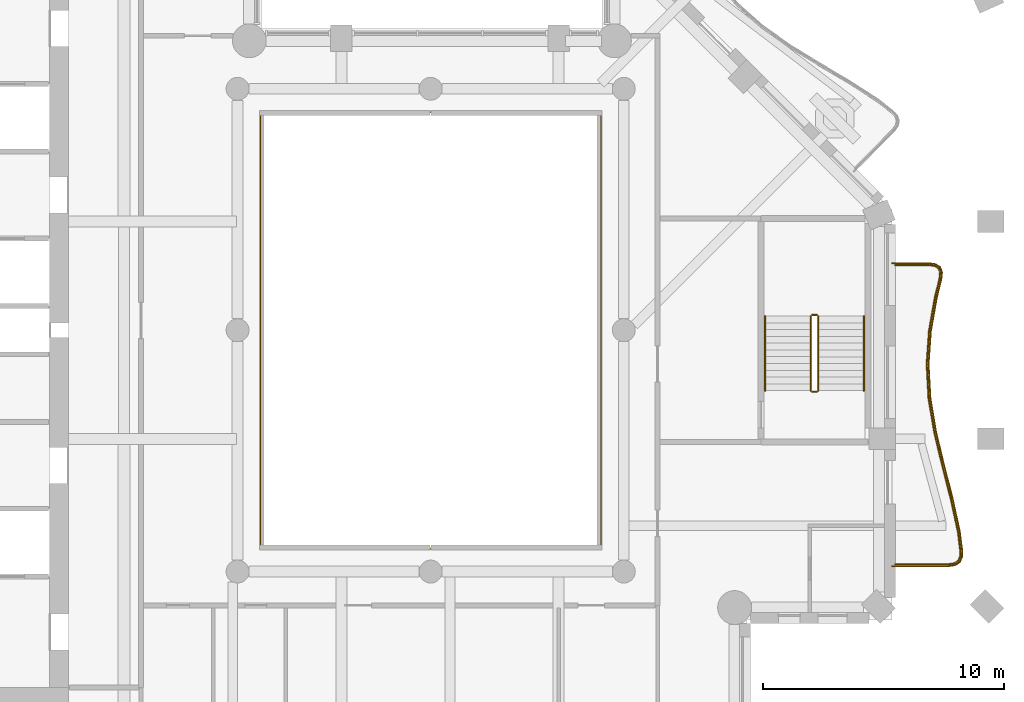
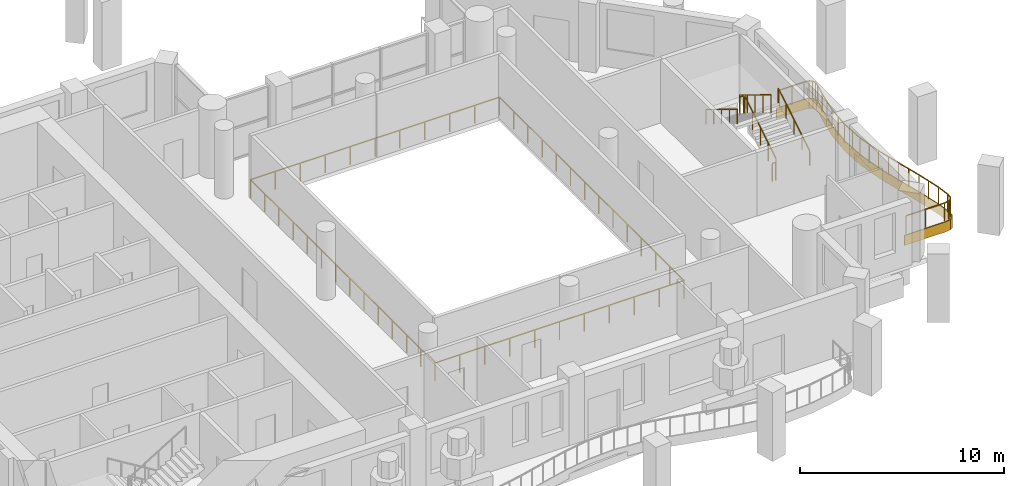
# One storey, part 11 of 14: 8 railings, 1 covering.
"""IFC4 building model written with IfcOpenShell, lengths in metres."""

from ifc_helpers import new_model, si_unit, direction, frame, origin, origin_2d, place, context, subcontext, project, spatial, polyline, rectangle, outline, extrude, material, layer, layer_set, type_object, element, save


model = new_model("IFC4")

# Units and contexts
model_context = context("Model", 3, precision=1e-05, world=origin(), true_north=direction((0.0, 1.0)))
body_context = subcontext(model_context, "Body", "Model", "MODEL_VIEW")
ifc_project = project(units=[si_unit("LENGTHUNIT", "METRE"), si_unit("AREAUNIT", "SQUARE_METRE"), si_unit("VOLUMEUNIT", "CUBIC_METRE"), si_unit("PLANEANGLEUNIT", "RADIAN"), si_unit("MASSUNIT", "GRAM", prefix="KILO")], contexts=[model_context])

# Site, building, storey
site_placement = place(None, origin())
site = spatial("IfcSite", under=ifc_project, at=site_placement, CompositionType="ELEMENT")
building_placement = place(site_placement, origin())
building = spatial("IfcBuilding", under=site, at=building_placement, Name="Cypress Arch Tower", CompositionType="ELEMENT")
storey_placement = place(building_placement, frame((0.0, 0.0, 222.0)))
storey = spatial("IfcBuildingStorey", under=building, at=storey_placement, Name="L49", CompositionType="ELEMENT", Elevation=222.0)

# Railing
ifc_material_1 = material(Name="Stainless steel posts and handrail, laminated glass infill", Category="steel")
railing_type_1 = type_object("IfcRailingType", Name="Atrium guard GR1100A", PredefinedType="GUARDRAIL", material=ifc_material_1)
railing_1_placement = place(storey_placement, frame((8.050048828125, -9.050048828125, 0.0)))
element("IfcRailing", 1, at=railing_1_placement, inside=storey, type_object=railing_type_1, Name="Atrium guard L49", PredefinedType="GUARDRAIL", context=body_context, shape_type="SweptSolid", body=[
    extrude(rectangle(XDim=0.050048828125, YDim=0.050048828125, at=origin_2d()), frame((0.0, 0.0, 1.0751953125), z_axis=(-1.0, 0.0, 0.0), x_axis=(0.0, -1.0, 0.0)), (0.0, 0.0, 1.0), 14.10009765625),
    extrude(rectangle(XDim=0.050048828125, YDim=0.050048828125, at=origin_2d()), frame((-14.10009765625, 0.0, 1.0751953125), z_axis=(0.0, 1.0, 0.0), x_axis=(-1.0, 0.0, 0.0)), (0.0, 0.0, 1.0), 18.10009765625),
    extrude(rectangle(XDim=0.050048828125, YDim=0.050048828125, at=origin_2d()), frame((-14.10009765625, 18.10009765625, 1.0751953125), z_axis=(1.0, 0.0, 0.0), x_axis=(0.0, 1.0, 0.0)), (0.0, 0.0, 1.0), 14.10009765625),
    extrude(rectangle(XDim=0.050048828125, YDim=0.050048828125, at=origin_2d()), frame((0.0, 18.10009765625, 1.0751953125), z_axis=(0.0, -1.0, 0.0), x_axis=(1.0, 0.0, 0.0)), (0.0, 0.0, 1.0), 18.10009765625),
    extrude(rectangle(XDim=0.050048828125, YDim=0.050048828125, at=origin_2d()), origin(), (0.0, 0.0, 1.0), 1.050048828125),
    extrude(rectangle(XDim=0.050048828125, YDim=0.050048828125, at=origin_2d()), frame((-1.409912109375, 0.0, 0.0)), (0.0, 0.0, 1.0), 1.050048828125),
    extrude(rectangle(XDim=0.050048828125, YDim=0.050048828125, at=origin_2d()), frame((-2.820068359375, 0.0, 0.0)), (0.0, 0.0, 1.0), 1.050048828125),
    extrude(rectangle(XDim=0.050048828125, YDim=0.050048828125, at=origin_2d()), frame((-4.22998046875, 0.0, 0.0)), (0.0, 0.0, 1.0), 1.050048828125),
    extrude(rectangle(XDim=0.050048828125, YDim=0.050048828125, at=origin_2d()), frame((-5.64013671875, 0.0, 0.0)), (0.0, 0.0, 1.0), 1.050048828125),
    extrude(rectangle(XDim=0.050048828125, YDim=0.050048828125, at=origin_2d()), frame((-7.050048828125, 0.0, 0.0)), (0.0, 0.0, 1.0), 1.050048828125),
    extrude(rectangle(XDim=0.050048828125, YDim=0.050048828125, at=origin_2d()), frame((-8.4599609375, 0.0, 0.0)), (0.0, 0.0, 1.0), 1.050048828125),
    extrude(rectangle(XDim=0.050048828125, YDim=0.050048828125, at=origin_2d()), frame((-9.8701171875, 0.0, 0.0)), (0.0, 0.0, 1.0), 1.050048828125),
    extrude(rectangle(XDim=0.050048828125, YDim=0.050048828125, at=origin_2d()), frame((-11.280029296875, 0.0, 0.0)), (0.0, 0.0, 1.0), 1.050048828125),
    extrude(rectangle(XDim=0.050048828125, YDim=0.050048828125, at=origin_2d()), frame((-12.690185546875, 0.0, 0.0)), (0.0, 0.0, 1.0), 1.050048828125),
    extrude(rectangle(XDim=0.050048828125, YDim=0.050048828125, at=origin_2d()), frame((-14.10009765625, 0.0, 0.0)), (0.0, 0.0, 1.0), 1.050048828125),
    extrude(rectangle(XDim=0.050048828125, YDim=0.050048828125, at=origin_2d()), frame((-14.10009765625, 1.392333984375, 0.0)), (0.0, 0.0, 1.0), 1.050048828125),
    extrude(rectangle(XDim=0.050048828125, YDim=0.050048828125, at=origin_2d()), frame((-14.10009765625, 2.78466796875, 0.0)), (0.0, 0.0, 1.0), 1.050048828125),
    extrude(rectangle(XDim=0.050048828125, YDim=0.050048828125, at=origin_2d()), frame((-14.10009765625, 4.177001953125, 0.0)), (0.0, 0.0, 1.0), 1.050048828125),
    extrude(rectangle(XDim=0.050048828125, YDim=0.050048828125, at=origin_2d()), frame((-14.10009765625, 5.5693359375, 0.0)), (0.0, 0.0, 1.0), 1.050048828125),
    extrude(rectangle(XDim=0.050048828125, YDim=0.050048828125, at=origin_2d()), frame((-14.10009765625, 6.961669921875, 0.0)), (0.0, 0.0, 1.0), 1.050048828125),
    extrude(rectangle(XDim=0.050048828125, YDim=0.050048828125, at=origin_2d()), frame((-14.10009765625, 8.35400390625, 0.0)), (0.0, 0.0, 1.0), 1.050048828125),
    extrude(rectangle(XDim=0.050048828125, YDim=0.050048828125, at=origin_2d()), frame((-14.10009765625, 9.74609375, 0.0)), (0.0, 0.0, 1.0), 1.050048828125),
    extrude(rectangle(XDim=0.050048828125, YDim=0.050048828125, at=origin_2d()), frame((-14.10009765625, 11.138427734375, 0.0)), (0.0, 0.0, 1.0), 1.050048828125),
    extrude(rectangle(XDim=0.050048828125, YDim=0.050048828125, at=origin_2d()), frame((-14.10009765625, 12.53076171875, 0.0)), (0.0, 0.0, 1.0), 1.050048828125),
    extrude(rectangle(XDim=0.050048828125, YDim=0.050048828125, at=origin_2d()), frame((-14.10009765625, 13.923095703125, 0.0)), (0.0, 0.0, 1.0), 1.050048828125),
    extrude(rectangle(XDim=0.050048828125, YDim=0.050048828125, at=origin_2d()), frame((-14.10009765625, 15.3154296875, 0.0)), (0.0, 0.0, 1.0), 1.050048828125),
    extrude(rectangle(XDim=0.050048828125, YDim=0.050048828125, at=origin_2d()), frame((-14.10009765625, 16.707763671875, 0.0)), (0.0, 0.0, 1.0), 1.050048828125),
    extrude(rectangle(XDim=0.050048828125, YDim=0.050048828125, at=origin_2d()), frame((-14.10009765625, 18.10009765625, 0.0)), (0.0, 0.0, 1.0), 1.050048828125),
    extrude(rectangle(XDim=0.050048828125, YDim=0.050048828125, at=origin_2d()), frame((-12.690185546875, 18.10009765625, 0.0)), (0.0, 0.0, 1.0), 1.050048828125),
    extrude(rectangle(XDim=0.050048828125, YDim=0.050048828125, at=origin_2d()), frame((-11.280029296875, 18.10009765625, 0.0)), (0.0, 0.0, 1.0), 1.050048828125),
    extrude(rectangle(XDim=0.050048828125, YDim=0.050048828125, at=origin_2d()), frame((-9.8701171875, 18.10009765625, 0.0)), (0.0, 0.0, 1.0), 1.050048828125),
    extrude(rectangle(XDim=0.050048828125, YDim=0.050048828125, at=origin_2d()), frame((-8.4599609375, 18.10009765625, 0.0)), (0.0, 0.0, 1.0), 1.050048828125),
    extrude(rectangle(XDim=0.050048828125, YDim=0.050048828125, at=origin_2d()), frame((-7.050048828125, 18.10009765625, 0.0)), (0.0, 0.0, 1.0), 1.050048828125),
    extrude(rectangle(XDim=0.050048828125, YDim=0.050048828125, at=origin_2d()), frame((-5.64013671875, 18.10009765625, 0.0)), (0.0, 0.0, 1.0), 1.050048828125),
    extrude(rectangle(XDim=0.050048828125, YDim=0.050048828125, at=origin_2d()), frame((-4.22998046875, 18.10009765625, 0.0)), (0.0, 0.0, 1.0), 1.050048828125),
    extrude(rectangle(XDim=0.050048828125, YDim=0.050048828125, at=origin_2d()), frame((-2.820068359375, 18.10009765625, 0.0)), (0.0, 0.0, 1.0), 1.050048828125),
    extrude(rectangle(XDim=0.050048828125, YDim=0.050048828125, at=origin_2d()), frame((-1.409912109375, 18.10009765625, 0.0)), (0.0, 0.0, 1.0), 1.050048828125),
    extrude(rectangle(XDim=0.050048828125, YDim=0.050048828125, at=origin_2d()), frame((0.0, 18.10009765625, 0.0)), (0.0, 0.0, 1.0), 1.050048828125),
    extrude(rectangle(XDim=0.050048828125, YDim=0.050048828125, at=origin_2d()), frame((0.0, 16.707763671875, 0.0)), (0.0, 0.0, 1.0), 1.050048828125),
    extrude(rectangle(XDim=0.050048828125, YDim=0.050048828125, at=origin_2d()), frame((0.0, 15.3154296875, 0.0)), (0.0, 0.0, 1.0), 1.050048828125),
    extrude(rectangle(XDim=0.050048828125, YDim=0.050048828125, at=origin_2d()), frame((0.0, 13.923095703125, 0.0)), (0.0, 0.0, 1.0), 1.050048828125),
    extrude(rectangle(XDim=0.050048828125, YDim=0.050048828125, at=origin_2d()), frame((0.0, 12.53076171875, 0.0)), (0.0, 0.0, 1.0), 1.050048828125),
    extrude(rectangle(XDim=0.050048828125, YDim=0.050048828125, at=origin_2d()), frame((0.0, 11.138427734375, 0.0)), (0.0, 0.0, 1.0), 1.050048828125),
    extrude(rectangle(XDim=0.050048828125, YDim=0.050048828125, at=origin_2d()), frame((0.0, 9.74609375, 0.0)), (0.0, 0.0, 1.0), 1.050048828125),
    extrude(rectangle(XDim=0.050048828125, YDim=0.050048828125, at=origin_2d()), frame((0.0, 8.35400390625, 0.0)), (0.0, 0.0, 1.0), 1.050048828125),
    extrude(rectangle(XDim=0.050048828125, YDim=0.050048828125, at=origin_2d()), frame((0.0, 6.961669921875, 0.0)), (0.0, 0.0, 1.0), 1.050048828125),
    extrude(rectangle(XDim=0.050048828125, YDim=0.050048828125, at=origin_2d()), frame((0.0, 5.5693359375, 0.0)), (0.0, 0.0, 1.0), 1.050048828125),
    extrude(rectangle(XDim=0.050048828125, YDim=0.050048828125, at=origin_2d()), frame((0.0, 4.177001953125, 0.0)), (0.0, 0.0, 1.0), 1.050048828125),
    extrude(rectangle(XDim=0.050048828125, YDim=0.050048828125, at=origin_2d()), frame((0.0, 2.78466796875, 0.0)), (0.0, 0.0, 1.0), 1.050048828125),
    extrude(rectangle(XDim=0.050048828125, YDim=0.050048828125, at=origin_2d()), frame((0.0, 1.392333984375, 0.0)), (0.0, 0.0, 1.0), 1.050048828125),
])

# Covering
ifc_material_2 = material(Name="White powder-coated aluminium fascia", Category="aluminium")
ifc_layer = layer(ifc_material_2, 0.050048828125)
ifc_layer_set = layer_set([ifc_layer], Name="Balcony fascia BF50")
covering_type = type_object("IfcCoveringType", Name="Balcony fascia BF50", PredefinedType="CLADDING", material=ifc_layer_set)
covering_placement = place(storey_placement, frame((0.0, 0.0, -0.60009765625)))
element("IfcCovering", 2, at=covering_placement, inside=storey, type_object=covering_type, Name="Balcony fascia L49-B04", PredefinedType="CLADDING", context=body_context, shape_type="SweptSolid", body=[
    extrude(outline(polyline([(21.642333984375, 2.800048828125), (21.92919921875, 2.7587890625), (22.12451171875, 2.626220703125), (22.20703125, 2.405029296875), (22.1787109375, 2.11669921875), (21.99169921875, 1.350830078125), (21.746337890625, -0.033935546875), (21.650390625, -1.4169921875), (21.72607421875, -2.800048828125), (21.955810546875, -4.1845703125), (22.28759765625, -5.5712890625), (22.644775390625, -6.960693359375), (22.945068359375, -8.352783203125), (23.041259765625, -9.122314453125), (23.03564453125, -9.41015625), (22.93115234375, -9.628173828125), (22.727783203125, -9.7587890625), (22.44287109375, -9.800048828125), (20.10107421875, -9.800048828125), (20.10107421875, -9.75), (22.439208984375, -9.75), (22.7099609375, -9.7109375), (22.89208984375, -9.59375), (22.98583984375, -9.3984375), (22.9912109375, -9.125), (22.895751953125, -8.361083984375), (22.595947265625, -6.97216796875), (22.239013671875, -5.583251953125), (21.906982421875, -4.1943359375), (21.67626953125, -2.8056640625), (21.600341796875, -1.416748046875), (21.696533203125, -0.02783203125), (21.942626953125, 1.361083984375), (22.12939453125, 2.125), (22.156005859375, 2.3984375), (22.0830078125, 2.59375), (21.91064453125, 2.7109375), (21.638671875, 2.75), (20.10107421875, 2.75), (20.10107421875, 2.800048828125), (21.642333984375, 2.800048828125)])), origin(), (0.0, 0.0, 1.0), 0.60009765625),
])

# Railings
ifc_material_3 = material(Name="Powder-coated steel posts and rods, 100 mm clear between rods", Category="steel")
railing_type_2 = type_object("IfcRailingType", Name="Balcony guard GR1100", PredefinedType="GUARDRAIL", material=ifc_material_3)
railing_2_placement = place(storey_placement, frame((20.25, 2.699951171875, 0.0)))
element("IfcRailing", 3, at=railing_2_placement, inside=storey, type_object=railing_type_2, Name="Balcony guard L49-B04", PredefinedType="GUARDRAIL", context=body_context, shape_type="SweptSolid", body=[
    extrude(rectangle(XDim=0.050048828125, YDim=0.050048828125, at=origin_2d()), frame((0.0, 0.0, 1.0751953125), z_axis=(1.0, 0.0, 0.0), x_axis=(0.0, 1.0, 0.0)), (0.0, 0.0, 1.0), 1.38525390625),
    extrude(rectangle(XDim=0.050048828125, YDim=0.050048828125, at=origin_2d()), frame((1.38525390625, 0.0, 1.0751953125), z_axis=(0.989855181852, -0.142079973821, 0.0), x_axis=(0.142079973821, 0.989855181852, 0.0)), (0.0, 0.0, 1.0), 0.259521484375),
    extrude(rectangle(XDim=0.050048828125, YDim=0.050048828125, at=origin_2d()), frame((1.64208984375, -0.036865234375, 1.0751953125), z_axis=(0.826826139118, -0.562457585664, 0.0), x_axis=(0.562457585664, 0.826826139118, 0.0)), (0.0, 0.0, 1.0), 0.180908203125),
    extrude(rectangle(XDim=0.050048828125, YDim=0.050048828125, at=origin_2d()), frame((1.791748046875, -0.138671875, 1.0751953125), z_axis=(0.350827678928, -0.936440035292, 0.0), x_axis=(0.936440035292, 0.350827678928, 0.0)), (0.0, 0.0, 1.0), 0.180908203125),
    extrude(rectangle(XDim=0.050048828125, YDim=0.050048828125, at=origin_2d()), frame((1.855224609375, -0.30810546875, 1.0751953125), z_axis=(-0.096804767807, -0.995303389389, 0.0), x_axis=(0.995303389389, -0.096804767807, 0.0)), (0.0, 0.0, 1.0), 0.259765625),
    extrude(rectangle(XDim=0.050048828125, YDim=0.050048828125, at=origin_2d()), frame((1.830078125, -0.566650390625, 1.0751953125), z_axis=(-0.237479196601, -0.971392624628, 0.0), x_axis=(0.971392624628, -0.237479196601, 0.0)), (0.0, 0.0, 1.0), 0.784423828125),
    extrude(rectangle(XDim=0.050048828125, YDim=0.050048828125, at=origin_2d()), frame((1.643798828125, -1.32861328125, 1.0751953125), z_axis=(-0.174631861535, -0.984633796361, 0.0), x_axis=(0.984633796361, -0.174631861535, 0.0)), (0.0, 0.0, 1.0), 1.414794921875),
    extrude(rectangle(XDim=0.050048828125, YDim=0.050048828125, at=origin_2d()), frame((1.396728515625, -2.7216796875, 1.0751953125), z_axis=(-0.068987904597, -0.997617496348, 0.0), x_axis=(0.997617496348, -0.068987904597, 0.0)), (0.0, 0.0, 1.0), 1.39794921875),
    extrude(rectangle(XDim=0.050048828125, YDim=0.050048828125, at=origin_2d()), frame((1.30029296875, -4.1162109375, 1.0751953125), z_axis=(0.054531028858, -0.998512076488, 0.0), x_axis=(0.998512076488, 0.054531028858, 0.0)), (0.0, 0.0, 1.0), 1.39697265625),
    extrude(rectangle(XDim=0.050048828125, YDim=0.050048828125, at=origin_2d()), frame((1.37646484375, -5.510986328125, 1.0751953125), z_axis=(0.163866383581, -0.986482543349, 0.0), x_axis=(0.986482543349, 0.163866383581, 0.0)), (0.0, 0.0, 1.0), 1.412353515625),
    extrude(rectangle(XDim=0.050048828125, YDim=0.050048828125, at=origin_2d()), frame((1.60791015625, -6.904296875, 1.0751953125), z_axis=(0.232481952856, -0.972600710259, 0.0), x_axis=(0.972600710259, 0.232481952856, 0.0)), (0.0, 0.0, 1.0), 1.430419921875),
    extrude(rectangle(XDim=0.050048828125, YDim=0.050048828125, at=origin_2d()), frame((1.9404296875, -8.29541015625, 1.0751953125), z_axis=(0.249022780784, -0.968497627592, 0.0), x_axis=(0.968497627592, 0.249022780784, 0.0)), (0.0, 0.0, 1.0), 1.433349609375),
    extrude(rectangle(XDim=0.050048828125, YDim=0.050048828125, at=origin_2d()), frame((2.29736328125, -9.68359375, 1.0751953125), z_axis=(0.210963710396, -0.977493894045, 0.0), x_axis=(0.977493894045, 0.210963710396, 0.0)), (0.0, 0.0, 1.0), 1.417724609375),
    extrude(rectangle(XDim=0.050048828125, YDim=0.050048828125, at=origin_2d()), frame((2.596435546875, -11.0693359375, 1.0751953125), z_axis=(0.12395609433, -0.992287703581, 0.0), x_axis=(0.992287703581, 0.12395609433, 0.0)), (0.0, 0.0, 1.0), 0.76416015625),
    extrude(rectangle(XDim=0.050048828125, YDim=0.050048828125, at=origin_2d()), frame((2.691162109375, -11.82763671875, 1.0751953125), z_axis=(-0.019788772709, -0.999804183065, 0.0), x_axis=(0.999804183065, -0.019788772709, 0.0)), (0.0, 0.0, 1.0), 0.259033203125),
    extrude(rectangle(XDim=0.050048828125, YDim=0.050048828125, at=origin_2d()), frame((2.68603515625, -12.086669921875, 1.0751953125), z_axis=(-0.432357866423, -0.901702099001, 0.0), x_axis=(0.901702099001, -0.432357866423, 0.0)), (0.0, 0.0, 1.0), 0.19140625),
    extrude(rectangle(XDim=0.050048828125, YDim=0.050048828125, at=origin_2d()), frame((2.603271484375, -12.25927734375, 1.0751953125), z_axis=(-0.84076433121, -0.541401273885, 0.0), x_axis=(0.541401273885, -0.84076433121, 0.0)), (0.0, 0.0, 1.0), 0.191650390625),
    extrude(rectangle(XDim=0.050048828125, YDim=0.050048828125, at=origin_2d()), frame((2.442138671875, -12.363037109375, 1.0751953125), z_axis=(-0.989817086987, -0.142345123938, 0.0), x_axis=(0.142345123938, -0.989817086987, 0.0)), (0.0, 0.0, 1.0), 0.259033203125),
    extrude(rectangle(XDim=0.050048828125, YDim=0.050048828125, at=origin_2d()), frame((2.185791015625, -12.39990234375, 1.0751953125), z_axis=(-1.0, 0.0, 0.0), x_axis=(0.0, -1.0, 0.0)), (0.0, 0.0, 1.0), 2.185791015625),
    extrude(rectangle(XDim=0.0400390625, YDim=0.0400390625, at=origin_2d()), origin(), (0.0, 0.0, 1.0), 1.050048828125),
    extrude(rectangle(XDim=0.0400390625, YDim=0.0400390625, at=origin_2d()), frame((0.692626953125, 0.0, 0.0)), (0.0, 0.0, 1.0), 1.050048828125),
    extrude(rectangle(XDim=0.0400390625, YDim=0.0400390625, at=origin_2d()), frame((1.38525390625, 0.0, 0.0)), (0.0, 0.0, 1.0), 1.050048828125),
    extrude(rectangle(XDim=0.0400390625, YDim=0.0400390625, at=origin_2d()), frame((1.64208984375, -0.036865234375, 0.0)), (0.0, 0.0, 1.0), 1.050048828125),
    extrude(rectangle(XDim=0.0400390625, YDim=0.0400390625, at=origin_2d()), frame((1.791748046875, -0.138671875, 0.0)), (0.0, 0.0, 1.0), 1.050048828125),
    extrude(rectangle(XDim=0.0400390625, YDim=0.0400390625, at=origin_2d()), frame((1.855224609375, -0.30810546875, 0.0)), (0.0, 0.0, 1.0), 1.050048828125),
    extrude(rectangle(XDim=0.0400390625, YDim=0.0400390625, at=origin_2d()), frame((1.830078125, -0.566650390625, 0.0)), (0.0, 0.0, 1.0), 1.050048828125),
    extrude(rectangle(XDim=0.0400390625, YDim=0.0400390625, at=origin_2d()), frame((1.643798828125, -1.32861328125, 0.0)), (0.0, 0.0, 1.0), 1.050048828125),
    extrude(rectangle(XDim=0.0400390625, YDim=0.0400390625, at=origin_2d()), frame((1.520263671875, -2.025146484375, 0.0)), (0.0, 0.0, 1.0), 1.050048828125),
    extrude(rectangle(XDim=0.0400390625, YDim=0.0400390625, at=origin_2d()), frame((1.396728515625, -2.7216796875, 0.0)), (0.0, 0.0, 1.0), 1.050048828125),
    extrude(rectangle(XDim=0.0400390625, YDim=0.0400390625, at=origin_2d()), frame((1.3486328125, -3.4189453125, 0.0)), (0.0, 0.0, 1.0), 1.050048828125),
    extrude(rectangle(XDim=0.0400390625, YDim=0.0400390625, at=origin_2d()), frame((1.30029296875, -4.1162109375, 0.0)), (0.0, 0.0, 1.0), 1.050048828125),
    extrude(rectangle(XDim=0.0400390625, YDim=0.0400390625, at=origin_2d()), frame((1.33837890625, -4.8134765625, 0.0)), (0.0, 0.0, 1.0), 1.050048828125),
    extrude(rectangle(XDim=0.0400390625, YDim=0.0400390625, at=origin_2d()), frame((1.37646484375, -5.510986328125, 0.0)), (0.0, 0.0, 1.0), 1.050048828125),
    extrude(rectangle(XDim=0.0400390625, YDim=0.0400390625, at=origin_2d()), frame((1.4921875, -6.20751953125, 0.0)), (0.0, 0.0, 1.0), 1.050048828125),
    extrude(rectangle(XDim=0.0400390625, YDim=0.0400390625, at=origin_2d()), frame((1.60791015625, -6.904296875, 0.0)), (0.0, 0.0, 1.0), 1.050048828125),
    extrude(rectangle(XDim=0.0400390625, YDim=0.0400390625, at=origin_2d()), frame((1.774169921875, -7.599853515625, 0.0)), (0.0, 0.0, 1.0), 1.050048828125),
    extrude(rectangle(XDim=0.0400390625, YDim=0.0400390625, at=origin_2d()), frame((1.9404296875, -8.29541015625, 0.0)), (0.0, 0.0, 1.0), 1.050048828125),
    extrude(rectangle(XDim=0.0400390625, YDim=0.0400390625, at=origin_2d()), frame((2.118896484375, -8.989501953125, 0.0)), (0.0, 0.0, 1.0), 1.050048828125),
    extrude(rectangle(XDim=0.0400390625, YDim=0.0400390625, at=origin_2d()), frame((2.29736328125, -9.68359375, 0.0)), (0.0, 0.0, 1.0), 1.050048828125),
    extrude(rectangle(XDim=0.0400390625, YDim=0.0400390625, at=origin_2d()), frame((2.44677734375, -10.37646484375, 0.0)), (0.0, 0.0, 1.0), 1.050048828125),
    extrude(rectangle(XDim=0.0400390625, YDim=0.0400390625, at=origin_2d()), frame((2.596435546875, -11.0693359375, 0.0)), (0.0, 0.0, 1.0), 1.050048828125),
    extrude(rectangle(XDim=0.0400390625, YDim=0.0400390625, at=origin_2d()), frame((2.691162109375, -11.82763671875, 0.0)), (0.0, 0.0, 1.0), 1.050048828125),
    extrude(rectangle(XDim=0.0400390625, YDim=0.0400390625, at=origin_2d()), frame((2.68603515625, -12.086669921875, 0.0)), (0.0, 0.0, 1.0), 1.050048828125),
    extrude(rectangle(XDim=0.0400390625, YDim=0.0400390625, at=origin_2d()), frame((2.603271484375, -12.25927734375, 0.0)), (0.0, 0.0, 1.0), 1.050048828125),
    extrude(rectangle(XDim=0.0400390625, YDim=0.0400390625, at=origin_2d()), frame((2.442138671875, -12.363037109375, 0.0)), (0.0, 0.0, 1.0), 1.050048828125),
    extrude(rectangle(XDim=0.0400390625, YDim=0.0400390625, at=origin_2d()), frame((2.185791015625, -12.39990234375, 0.0)), (0.0, 0.0, 1.0), 1.050048828125),
    extrude(rectangle(XDim=0.0400390625, YDim=0.0400390625, at=origin_2d()), frame((1.0927734375, -12.39990234375, 0.0)), (0.0, 0.0, 1.0), 1.050048828125),
    extrude(rectangle(XDim=0.0400390625, YDim=0.0400390625, at=origin_2d()), frame((0.0, -12.39990234375, 0.0)), (0.0, 0.0, 1.0), 1.050048828125),
])
ifc_material_4 = material(Name="Black powder-coated steel square bar 48 mm", Category="steel")
railing_type_3 = type_object("IfcRailingType", Name="Stair handrail HR1", PredefinedType="HANDRAIL", material=ifc_material_4)
railing_3_placement = place(storey_placement, frame((18.949951171875, -2.5, 0.1708984375)))
element("IfcRailing", 4, at=railing_3_placement, inside=storey, type_object=railing_type_3, Name="L49 C stair handrail 1", PredefinedType="HANDRAIL", context=body_context, shape_type="SweptSolid", body=[
    extrude(rectangle(XDim=0.048095703125, YDim=0.048095703125, at=origin_2d()), frame((0.0, 0.0, 0.8759765625), z_axis=(0.0, 0.853666305674, 0.52082035152), x_axis=(-1.0, 0.0, 0.0)), (0.0, 0.0, 1.0), 3.608154296875),
    extrude(rectangle(XDim=0.0419921875, YDim=0.0419921875, at=origin_2d()), origin(), (0.0, 0.0, 1.0), 0.851806640625),
    extrude(rectangle(XDim=0.0419921875, YDim=0.0419921875, at=origin_2d()), frame((0.0, 0.77001953125, 0.4697265625)), (0.0, 0.0, 1.0), 0.851806640625),
    extrude(rectangle(XDim=0.0419921875, YDim=0.0419921875, at=origin_2d()), frame((0.0, 1.5400390625, 0.939453125)), (0.0, 0.0, 1.0), 0.851806640625),
    extrude(rectangle(XDim=0.0419921875, YDim=0.0419921875, at=origin_2d()), frame((0.0, 2.31005859375, 1.409423828125)), (0.0, 0.0, 1.0), 0.851806640625),
    extrude(rectangle(XDim=0.0419921875, YDim=0.0419921875, at=origin_2d()), frame((0.0, 3.080078125, 1.879150390625)), (0.0, 0.0, 1.0), 0.851806640625),
])
railing_4_placement = place(storey_placement, frame((14.85009765625, 0.580078125, 2.220947265625)))
element("IfcRailing", 5, at=railing_4_placement, inside=storey, type_object=railing_type_3, Name="L49 C stair handrail 2", PredefinedType="HANDRAIL", context=body_context, shape_type="SweptSolid", body=[
    extrude(rectangle(XDim=0.048095703125, YDim=0.048095703125, at=origin_2d()), frame((0.0, 0.0, 0.8759765625), z_axis=(0.0, -0.853666305674, 0.52082035152), x_axis=(1.0, 0.0, 0.0)), (0.0, 0.0, 1.0), 3.608154296875),
    extrude(rectangle(XDim=0.0419921875, YDim=0.0419921875, at=origin_2d()), origin(), (0.0, 0.0, 1.0), 0.851806640625),
    extrude(rectangle(XDim=0.0419921875, YDim=0.0419921875, at=origin_2d()), frame((0.0, -0.77001953125, 0.4697265625)), (0.0, 0.0, 1.0), 0.851806640625),
    extrude(rectangle(XDim=0.0419921875, YDim=0.0419921875, at=origin_2d()), frame((0.0, -1.5400390625, 0.939453125)), (0.0, 0.0, 1.0), 0.851806640625),
    extrude(rectangle(XDim=0.0419921875, YDim=0.0419921875, at=origin_2d()), frame((0.0, -2.31005859375, 1.409423828125)), (0.0, 0.0, 1.0), 0.851806640625),
    extrude(rectangle(XDim=0.0419921875, YDim=0.0419921875, at=origin_2d()), frame((0.0, -3.080078125, 1.879150390625)), (0.0, 0.0, 1.0), 0.851806640625),
])
ifc_material_5 = material(Name="Black powder-coated steel balusters", Category="steel")
railing_type_4 = type_object("IfcRailingType", Name="Stair well guard G1", PredefinedType="GUARDRAIL", material=ifc_material_5)
railing_5_placement = place(storey_placement, frame((17.050048828125, -2.5, 0.1708984375)))
element("IfcRailing", 6, at=railing_5_placement, inside=storey, type_object=railing_type_4, Name="L49 C stair guard 1", PredefinedType="GUARDRAIL", context=body_context, shape_type="SweptSolid", body=[
    extrude(rectangle(XDim=0.048095703125, YDim=0.048095703125, at=origin_2d()), frame((0.0, 0.0, 1.076171875), z_axis=(0.0, 0.853666305674, 0.52082035152), x_axis=(-1.0, 0.0, 0.0)), (0.0, 0.0, 1.0), 3.608154296875),
    extrude(rectangle(XDim=0.0419921875, YDim=0.0419921875, at=origin_2d()), origin(), (0.0, 0.0, 1.0), 1.052001953125),
    extrude(rectangle(XDim=0.0419921875, YDim=0.0419921875, at=origin_2d()), frame((0.0, 0.77001953125, 0.4697265625)), (0.0, 0.0, 1.0), 1.052001953125),
    extrude(rectangle(XDim=0.0419921875, YDim=0.0419921875, at=origin_2d()), frame((0.0, 1.5400390625, 0.939453125)), (0.0, 0.0, 1.0), 1.052001953125),
    extrude(rectangle(XDim=0.0419921875, YDim=0.0419921875, at=origin_2d()), frame((0.0, 2.31005859375, 1.409423828125)), (0.0, 0.0, 1.0), 1.052001953125),
    extrude(rectangle(XDim=0.0419921875, YDim=0.0419921875, at=origin_2d()), frame((0.0, 3.080078125, 1.879150390625)), (0.0, 0.0, 1.0), 1.052001953125),
])
railing_6_placement = place(storey_placement, frame((17.0, 0.6298828125, 2.050048828125)))
element("IfcRailing", 7, at=railing_6_placement, inside=storey, type_object=railing_type_4, Name="L49 C stair guard 2", PredefinedType="GUARDRAIL", context=body_context, shape_type="SweptSolid", body=[
    extrude(rectangle(XDim=0.048095703125, YDim=0.048095703125, at=origin_2d()), frame((0.0, 0.0, 1.076171875), z_axis=(-1.0, 0.0, 0.0), x_axis=(0.0, -1.0, 0.0)), (0.0, 0.0, 1.0), 0.199951171875),
    extrude(rectangle(XDim=0.0419921875, YDim=0.0419921875, at=origin_2d()), origin(), (0.0, 0.0, 1.0), 1.052001953125),
    extrude(rectangle(XDim=0.0419921875, YDim=0.0419921875, at=origin_2d()), frame((-0.199951171875, 0.0, 0.0)), (0.0, 0.0, 1.0), 1.052001953125),
])
railing_7_placement = place(storey_placement, frame((16.75, 0.580078125, 2.220947265625)))
element("IfcRailing", 8, at=railing_7_placement, inside=storey, type_object=railing_type_4, Name="L49 C stair guard 3", PredefinedType="GUARDRAIL", context=body_context, shape_type="SweptSolid", body=[
    extrude(rectangle(XDim=0.048095703125, YDim=0.048095703125, at=origin_2d()), frame((0.0, 0.0, 1.076171875), z_axis=(0.0, -0.853666305674, 0.52082035152), x_axis=(1.0, 0.0, 0.0)), (0.0, 0.0, 1.0), 3.608154296875),
    extrude(rectangle(XDim=0.0419921875, YDim=0.0419921875, at=origin_2d()), origin(), (0.0, 0.0, 1.0), 1.052001953125),
    extrude(rectangle(XDim=0.0419921875, YDim=0.0419921875, at=origin_2d()), frame((0.0, -0.77001953125, 0.4697265625)), (0.0, 0.0, 1.0), 1.052001953125),
    extrude(rectangle(XDim=0.0419921875, YDim=0.0419921875, at=origin_2d()), frame((0.0, -1.5400390625, 0.939453125)), (0.0, 0.0, 1.0), 1.052001953125),
    extrude(rectangle(XDim=0.0419921875, YDim=0.0419921875, at=origin_2d()), frame((0.0, -2.31005859375, 1.409423828125)), (0.0, 0.0, 1.0), 1.052001953125),
    extrude(rectangle(XDim=0.0419921875, YDim=0.0419921875, at=origin_2d()), frame((0.0, -3.080078125, 1.879150390625)), (0.0, 0.0, 1.0), 1.052001953125),
])
railing_8_placement = place(storey_placement, frame((17.0, -2.550048828125, 0.0)))
element("IfcRailing", 9, at=railing_8_placement, inside=storey, type_object=railing_type_4, Name="L49 C stair guard 4", PredefinedType="GUARDRAIL", context=body_context, shape_type="SweptSolid", body=[
    extrude(rectangle(XDim=0.048095703125, YDim=0.048095703125, at=origin_2d()), frame((0.0, 0.0, 1.076171875), z_axis=(-1.0, 0.0, 0.0), x_axis=(0.0, -1.0, 0.0)), (0.0, 0.0, 1.0), 0.199951171875),
    extrude(rectangle(XDim=0.0419921875, YDim=0.0419921875, at=origin_2d()), origin(), (0.0, 0.0, 1.0), 1.052001953125),
    extrude(rectangle(XDim=0.0419921875, YDim=0.0419921875, at=origin_2d()), frame((-0.199951171875, 0.0, 0.0)), (0.0, 0.0, 1.0), 1.052001953125),
])

save(model, "model.ifc")
